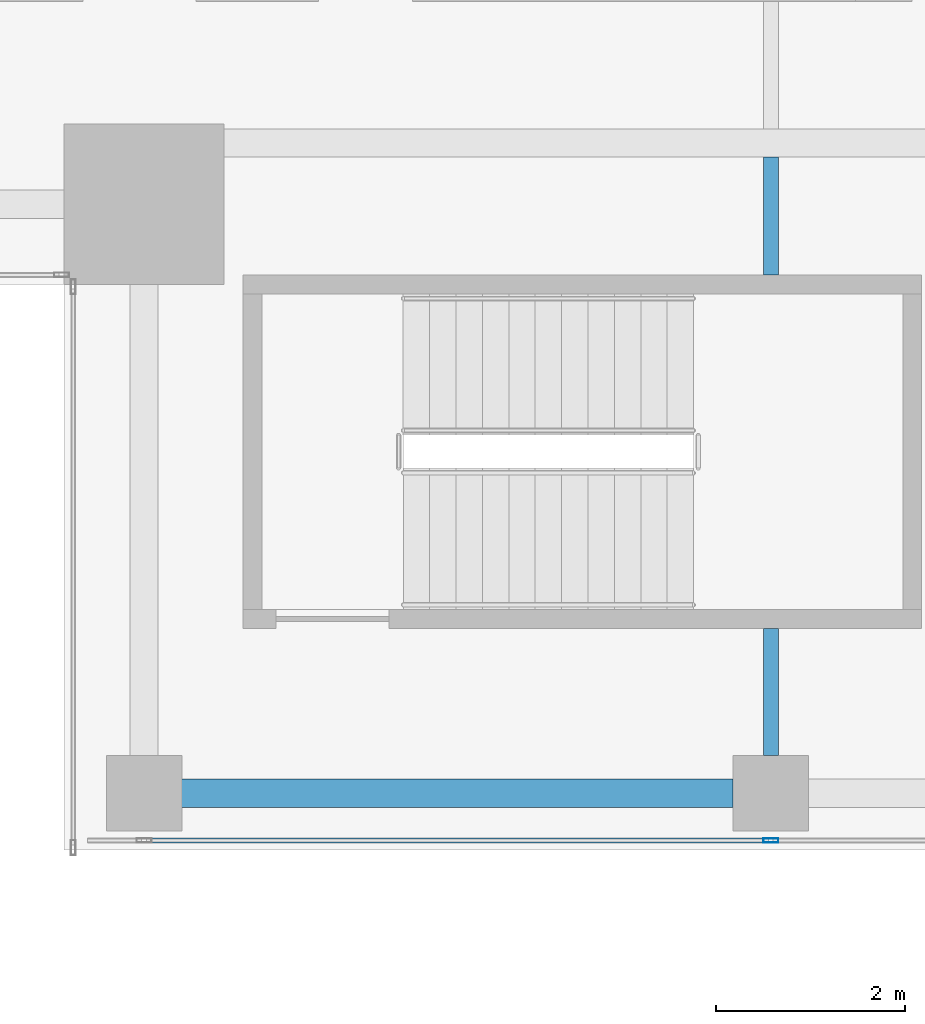
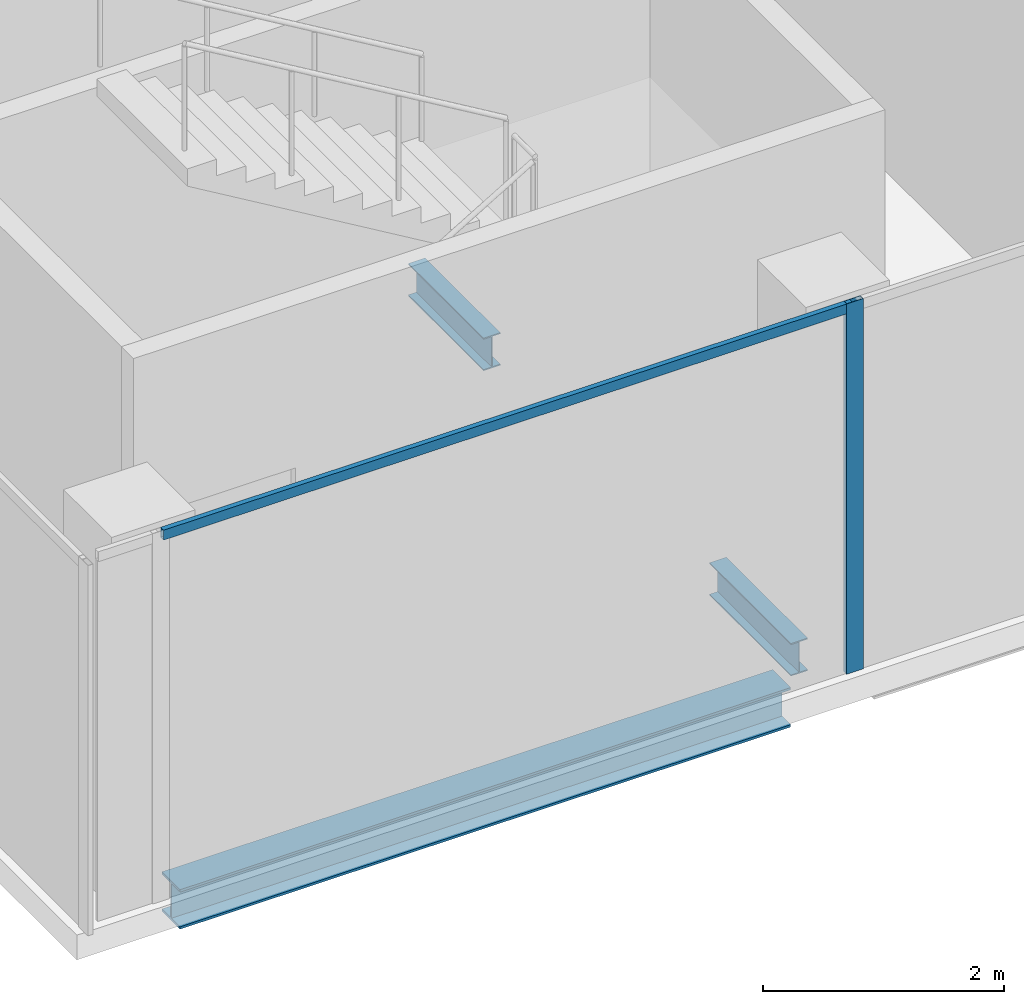
# One storey, part 3 of 28: 3 beams, 2 members, 1 element without a shape of its own.
"""IFC4 building model written with IfcOpenShell, lengths in metres."""

from ifc_helpers import new_model, si_unit, direction, frame, origin, origin_2d, place, context, subcontext, project, spatial, hollow_rectangle, i_section, extrude, source, transform, mapped, material, material_profile, profile_set, type_object, element, aggregate, save


model = new_model("IFC4")

# Units and contexts
model_context = context("Model", 3, precision=1e-05, world=origin(), true_north=direction((0.0, 1.0)))
body_context = subcontext(model_context, "Body", "Model", "MODEL_VIEW")
ifc_project = project(units=[si_unit("LENGTHUNIT", "METRE"), si_unit("AREAUNIT", "SQUARE_METRE"), si_unit("VOLUMEUNIT", "CUBIC_METRE"), si_unit("PLANEANGLEUNIT", "RADIAN"), si_unit("MASSUNIT", "GRAM", prefix="KILO")], contexts=[model_context])

# Site, building, storey
site_placement = place(None, origin())
site = spatial("IfcSite", under=ifc_project, at=site_placement, CompositionType="ELEMENT")
building_placement = place(site_placement, origin())
building = spatial("IfcBuilding", under=site, at=building_placement, Name="Khomas Fold Tower", CompositionType="ELEMENT")
storey_placement = place(building_placement, frame((0.0, 0.0, 302.199951171875)))
storey = spatial("IfcBuildingStorey", under=building, at=storey_placement, Name="L68", CompositionType="ELEMENT", Elevation=302.199951171875)

# Beams
ifc_material_1 = material(Name="Steel S355", Category="steel")
ifc_material_profile_1 = material_profile(ifc_material_1, i_section(OverallWidth=0.159912109375, OverallDepth=0.330078125, WebThickness=0.007568359375, FlangeThickness=0.011474609375, at=origin_2d()), Name="IPE 330")
ifc_profile_set_1 = profile_set([ifc_material_profile_1], Name="Steel S355")
beam_type_1 = type_object("IfcBeamType", Name="IPE 330 beam JB1", PredefinedType="BEAM", material=ifc_profile_set_1)
shared_shape_1 = source(origin(), body_context, "Body", "SweptSolid", [
    extrude(i_section(OverallWidth=0.159912109375, OverallDepth=0.330078125, WebThickness=0.007568359375, FlangeThickness=0.011474609375, at=origin_2d()), origin(), (0.0, 0.0, 1.0), 1.25),
])
beam_1_placement = place(storey_placement, frame((19.5, 12.10009765625, -0.4150390625), z_axis=(0.0, 1.0, 0.0), x_axis=(-1.0, 0.0, 0.0)))
element("IfcBeam", 1, at=beam_1_placement, inside=storey, type_object=beam_type_1, Name="JB1", PredefinedType="BEAM", context=body_context, shape_type="MappedRepresentation", body=[
    mapped(shared_shape_1, transform((0.0, 0.0, 0.0))),
])
shared_shape_2 = source(origin(), body_context, "Body", "SweptSolid", [
    extrude(i_section(OverallWidth=0.159912109375, OverallDepth=0.330078125, WebThickness=0.007568359375, FlangeThickness=0.011474609375, at=origin_2d()), origin(), (0.0, 0.0, 1.0), 1.35009765625),
])
beam_2_placement = place(storey_placement, frame((19.5, 7.0, -0.4150390625), z_axis=(0.0, 1.0, 0.0), x_axis=(-1.0, 0.0, 0.0)))
element("IfcBeam", 2, at=beam_2_placement, inside=storey, type_object=beam_type_1, Name="JB1", PredefinedType="BEAM", context=body_context, shape_type="MappedRepresentation", body=[
    mapped(shared_shape_2, transform((0.0, 0.0, 0.0))),
])
ifc_material_2 = material(Name="Steel S355", Category="steel")
ifc_material_profile_2 = material_profile(ifc_material_2, i_section(OverallWidth=0.300048828125, OverallDepth=0.39990234375, WebThickness=0.013427734375, FlangeThickness=0.02392578125, at=origin_2d()), Name="HE 400 B")
ifc_profile_set_2 = profile_set([ifc_material_profile_2], Name="Steel S355")
beam_type_2 = type_object("IfcBeamType", Name="HE 400 B spandrel SB5", PredefinedType="SPANDREL", material=ifc_profile_set_2)
shared_shape_3 = source(origin(), body_context, "Body", "SweptSolid", [
    extrude(i_section(OverallWidth=0.300048828125, OverallDepth=0.39990234375, WebThickness=0.013427734375, FlangeThickness=0.02392578125, at=origin_2d()), origin(), (0.0, 0.0, 1.0), 5.85009765625),
])
beam_3_placement = place(storey_placement, frame((13.25, 6.60009765625, -0.449951171875), z_axis=(1.0, 0.0, 0.0), x_axis=(0.0, 1.0, 0.0)))
element("IfcBeam", 3, at=beam_3_placement, inside=storey, type_object=beam_type_2, Name="SB5", PredefinedType="SPANDREL", context=body_context, shape_type="MappedRepresentation", body=[
    mapped(shared_shape_3, transform((0.0, 0.0, 0.0))),
])

# Curtain wall, members
ifc_material_3 = material(Name="Aluminium framed double glazing", Category="aluminium")
curtain_wall_type = type_object("IfcCurtainWallType", Name="SK-Unitised clear-glass wall, upper floors CW3", PredefinedType="NOTDEFINED", material=ifc_material_3)
curtain_wall_placement = place(storey_placement, origin())
curtain_wall = element("IfcCurtainWall", 4, at=curtain_wall_placement, inside=storey, type_object=curtain_wall_type, Name="CW3 run L68 00-0", PredefinedType="NOTDEFINED")
ifc_material_4 = material(Name="Aluminium", Category="aluminium")
ifc_material_profile_3 = material_profile(ifc_material_4, hollow_rectangle(XDim=0.050048828125, YDim=0.159912109375, WallThickness=0.00390625, at=origin_2d()), Name="SK-Unitised clear-glass wall, upper floors mullion CW3-M")
ifc_profile_set_3 = profile_set([ifc_material_profile_3], Name="Aluminium")
member_type_1 = type_object("IfcMemberType", Name="SK-Unitised clear-glass wall, upper floors mullion CW3-M", PredefinedType="MULLION", material=ifc_profile_set_3)
shared_shape_4 = source(origin(), body_context, "Body", "SweptSolid", [
    extrude(hollow_rectangle(XDim=0.050048828125, YDim=0.159912109375, WallThickness=0.00390625, at=origin_2d()), origin(), (0.0, 0.0, 1.0), 3.75),
])
member_1_placement = place(storey_placement, frame((19.5, 6.10009765625, 0.0), z_axis=(0.0, 0.0, 1.0), x_axis=(0.0, 1.0, 0.0)))
member_1 = element("IfcMember", 5, at=member_1_placement, type_object=member_type_1, Name="CW3 mullion 3", PredefinedType="MULLION", context=body_context, shape_type="MappedRepresentation", body=[
    mapped(shared_shape_4, transform((0.0, 0.0, 0.0))),
])
ifc_material_5 = material(Name="Aluminium", Category="aluminium")
ifc_material_profile_4 = material_profile(ifc_material_5, hollow_rectangle(XDim=0.050048828125, YDim=0.10009765625, WallThickness=0.00390625, at=origin_2d()), Name="SK-Unitised clear-glass wall, upper floors transom CW3-T")
ifc_profile_set_4 = profile_set([ifc_material_profile_4], Name="Aluminium")
member_type_2 = type_object("IfcMemberType", Name="SK-Unitised clear-glass wall, upper floors transom CW3-T", PredefinedType="USERDEFINED", material=ifc_profile_set_4)
shared_shape_5 = source(origin(), body_context, "Body", "SweptSolid", [
    extrude(hollow_rectangle(XDim=0.050048828125, YDim=0.10009765625, WallThickness=0.00390625, at=origin_2d()), origin(), (0.0, 0.0, 1.0), 6.60009765625),
])
member_2_placement = place(storey_placement, frame((12.875, 6.10009765625, 3.699951171875), z_axis=(1.0, 0.0, 0.0), x_axis=(0.0, 1.0, 0.0)))
member_2 = element("IfcMember", 6, at=member_2_placement, type_object=member_type_2, Name="CW3 transom 2", ObjectType="TRANSOM", PredefinedType="USERDEFINED", context=body_context, shape_type="MappedRepresentation", body=[
    mapped(shared_shape_5, transform((0.0, 0.0, 0.0))),
])
aggregate(curtain_wall, [member_1, member_2])

save(model, "model.ifc")
